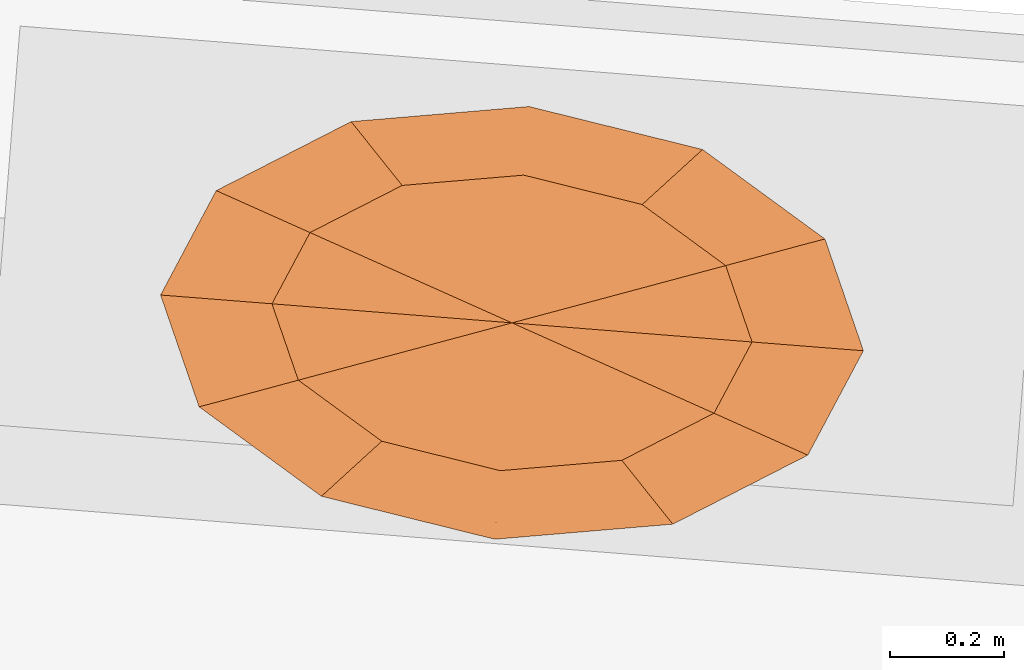
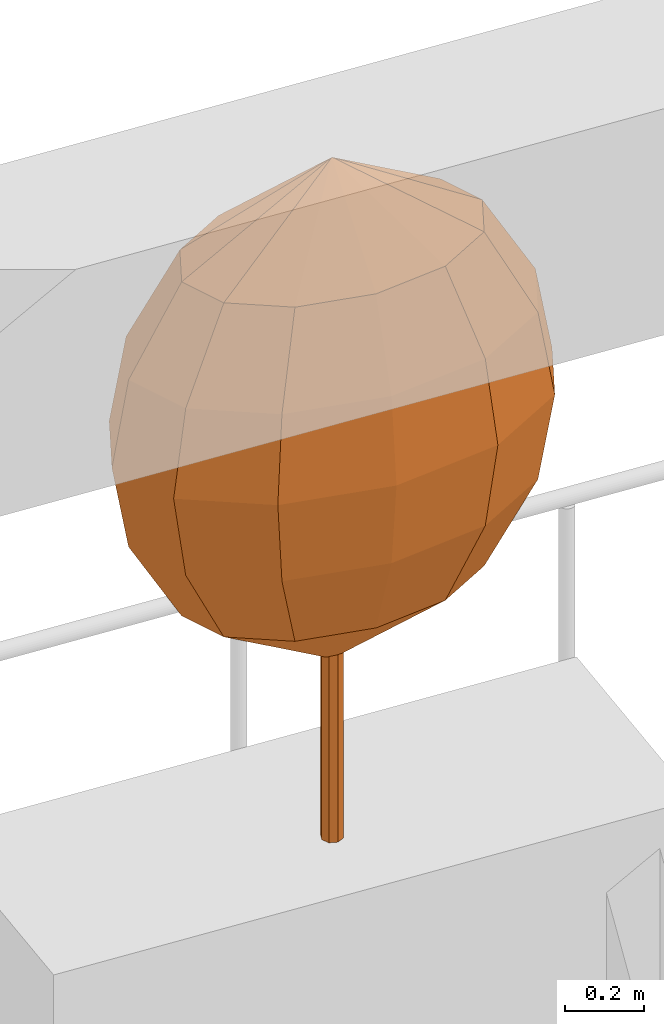
# One storey, part 12 of 12: 1 geographic element.
"""IFC4 building model written with IfcOpenShell, lengths in metres."""

from ifc_helpers import new_model, si_unit, direction, frame, origin, place, context, subcontext, project, spatial, faceted_brep, material, constituent, constituent_set, type_object, element, save


model = new_model("IFC4")

# Units and contexts
model_context = context("Model", 3, precision=1e-05, world=origin(), true_north=direction((0.0, 1.0)))
body_context = subcontext(model_context, "Body", "Model", "MODEL_VIEW")
ifc_project = project(units=[si_unit("LENGTHUNIT", "METRE"), si_unit("AREAUNIT", "SQUARE_METRE"), si_unit("VOLUMEUNIT", "CUBIC_METRE"), si_unit("PLANEANGLEUNIT", "RADIAN"), si_unit("MASSUNIT", "GRAM", prefix="KILO")], contexts=[model_context])

# Site, building, storey
site_placement = place(None, origin())
site = spatial("IfcSite", under=ifc_project, at=site_placement, CompositionType="ELEMENT")
building_placement = place(site_placement, origin())
building = spatial("IfcBuilding", under=site, at=building_placement, Name="Taillehof Tower", CompositionType="ELEMENT")
storey_placement = place(building_placement, frame((0.0, 0.0, 92.199951171875)))
storey = spatial("IfcBuildingStorey", under=building, at=storey_placement, Name="L25", CompositionType="ELEMENT", Elevation=92.199951171875)

# Geographic element
ifc_material_1 = material(Name="Tree bark", Category="timber")
ifc_constituent_1 = constituent(ifc_material_1, Name="Trunk", Category="timber")
ifc_material_2 = material(Name="Tree foliage")
ifc_constituent_2 = constituent(ifc_material_2, Name="Crown")
ifc_constituent_set = constituent_set(constituents=[ifc_constituent_1, ifc_constituent_2], Name="Tree TR1 Columnar hornbeam")
geographic_element_type = type_object("IfcGeographicElementType", Name="Tree TR1 Columnar hornbeam", PredefinedType="USERDEFINED", material=ifc_constituent_set)
geographic_element_placement = place(storey_placement, frame((3.072998046875, 23.007568359375, 0.75)))
element("IfcGeographicElement", 1, at=geographic_element_placement, inside=storey, type_object=geographic_element_type, Name="Tree TR1 Columnar hornbeam", ObjectType="TREE", PredefinedType="USERDEFINED", context=body_context, shape_type="Brep", body=[
    faceted_brep([(0.030029296875, 0.0, 0.0), (0.021240234375, 0.021240234375, 0.0), (0.021240234375, 0.021240234375, 1.092529296875), (0.030029296875, 0.0, 1.092529296875), (0.0, 0.030029296875, 0.0), (0.0, 0.030029296875, 1.092529296875), (-0.021240234375, 0.021240234375, 0.0), (-0.021240234375, 0.021240234375, 1.092529296875), (-0.030029296875, 0.0, 0.0), (-0.030029296875, 0.0, 1.092529296875), (-0.021240234375, -0.021240234375, 0.0), (-0.021240234375, -0.021240234375, 1.092529296875), (0.0, -0.030029296875, 0.0), (0.0, -0.030029296875, 1.092529296875), (0.021240234375, -0.021240234375, 0.0), (0.021240234375, -0.021240234375, 1.092529296875)], [[[0, 1, 2, 3]], [[1, 4, 5, 2]], [[4, 6, 7, 5]], [[6, 8, 9, 7]], [[8, 10, 11, 9]], [[10, 12, 13, 11]], [[12, 14, 15, 13]], [[14, 0, 3, 15]], [[14, 12, 10, 8, 6, 4, 1, 0]], [[3, 2, 5, 7, 9, 11, 13, 15]]]),
    faceted_brep([(0.0, 0.0, 0.550048828125), (-0.374267578125, -0.100341796875, 0.808349609375), (-0.42041015625, 0.033447265625, 0.808349609375), (-0.22802734375, -0.207275390625, 0.808349609375), (-0.0205078125, -0.2587890625, 0.808349609375), (0.1923828125, -0.24072265625, 0.808349609375), (0.353759765625, -0.158203125, 0.808349609375), (0.42041015625, -0.033447265625, 0.808349609375), (0.374267578125, 0.100341796875, 0.808349609375), (0.22802734375, 0.207275390625, 0.808349609375), (0.0205078125, 0.2587890625, 0.808349609375), (-0.1923828125, 0.24072265625, 0.808349609375), (-0.353759765625, 0.158203125, 0.808349609375), (-0.50634765625, -0.135986328125, 1.066650390625), (-0.56884765625, 0.045166015625, 1.066650390625), (-0.308349609375, -0.280517578125, 1.066650390625), (-0.02783203125, -0.35009765625, 1.066650390625), (0.26025390625, -0.32568359375, 1.066650390625), (0.478759765625, -0.214111328125, 1.066650390625), (0.56884765625, -0.045166015625, 1.066650390625), (0.50634765625, 0.135986328125, 1.066650390625), (0.308349609375, 0.280517578125, 1.066650390625), (0.02783203125, 0.35009765625, 1.066650390625), (-0.26025390625, 0.32568359375, 1.066650390625), (-0.478759765625, 0.214111328125, 1.066650390625), (-0.548095703125, -0.14697265625, 1.324951171875), (-0.615478515625, 0.048828125, 1.324951171875), (-0.333740234375, -0.3037109375, 1.324951171875), (-0.030029296875, -0.37890625, 1.324951171875), (0.28173828125, -0.3525390625, 1.324951171875), (0.51806640625, -0.231689453125, 1.324951171875), (0.615478515625, -0.048828125, 1.324951171875), (0.548095703125, 0.14697265625, 1.324951171875), (0.333740234375, 0.3037109375, 1.324951171875), (0.030029296875, 0.37890625, 1.324951171875), (-0.28173828125, 0.3525390625, 1.324951171875), (-0.51806640625, 0.231689453125, 1.324951171875), (-0.50634765625, -0.135986328125, 1.583251953125), (-0.56884765625, 0.045166015625, 1.583251953125), (-0.308349609375, -0.280517578125, 1.583251953125), (-0.02783203125, -0.35009765625, 1.583251953125), (0.26025390625, -0.32568359375, 1.583251953125), (0.478759765625, -0.214111328125, 1.583251953125), (0.56884765625, -0.045166015625, 1.583251953125), (0.50634765625, 0.135986328125, 1.583251953125), (0.308349609375, 0.280517578125, 1.583251953125), (0.02783203125, 0.35009765625, 1.583251953125), (-0.26025390625, 0.32568359375, 1.583251953125), (-0.478759765625, 0.214111328125, 1.583251953125), (-0.374267578125, -0.100341796875, 1.841552734375), (-0.42041015625, 0.033447265625, 1.841552734375), (-0.22802734375, -0.207275390625, 1.841552734375), (-0.0205078125, -0.2587890625, 1.841552734375), (0.1923828125, -0.24072265625, 1.841552734375), (0.353759765625, -0.158203125, 1.841552734375), (0.42041015625, -0.033447265625, 1.841552734375), (0.374267578125, 0.100341796875, 1.841552734375), (0.22802734375, 0.207275390625, 1.841552734375), (0.0205078125, 0.2587890625, 1.841552734375), (-0.1923828125, 0.24072265625, 1.841552734375), (-0.353759765625, 0.158203125, 1.841552734375), (0.0, 0.0, 2.10009765625)], [[[0, 1, 2]], [[0, 3, 1]], [[0, 4, 3]], [[0, 5, 4]], [[0, 6, 5]], [[0, 7, 6]], [[0, 8, 7]], [[0, 9, 8]], [[0, 10, 9]], [[0, 11, 10]], [[0, 12, 11]], [[0, 2, 12]], [[2, 1, 13, 14]], [[1, 3, 15, 13]], [[3, 4, 16, 15]], [[4, 5, 17, 16]], [[5, 6, 18, 17]], [[6, 7, 19, 18]], [[7, 8, 20, 19]], [[8, 9, 21, 20]], [[9, 10, 22, 21]], [[10, 11, 23, 22]], [[11, 12, 24, 23]], [[12, 2, 14, 24]], [[14, 13, 25, 26]], [[13, 15, 27, 25]], [[15, 16, 28, 27]], [[16, 17, 29, 28]], [[17, 18, 30, 29]], [[18, 19, 31, 30]], [[19, 20, 32, 31]], [[20, 21, 33, 32]], [[21, 22, 34, 33]], [[22, 23, 35, 34]], [[23, 24, 36, 35]], [[24, 14, 26, 36]], [[26, 25, 37, 38]], [[25, 27, 39, 37]], [[27, 28, 40, 39]], [[28, 29, 41, 40]], [[29, 30, 42, 41]], [[30, 31, 43, 42]], [[31, 32, 44, 43]], [[32, 33, 45, 44]], [[33, 34, 46, 45]], [[34, 35, 47, 46]], [[35, 36, 48, 47]], [[36, 26, 38, 48]], [[38, 37, 49, 50]], [[37, 39, 51, 49]], [[39, 40, 52, 51]], [[40, 41, 53, 52]], [[41, 42, 54, 53]], [[42, 43, 55, 54]], [[43, 44, 56, 55]], [[44, 45, 57, 56]], [[45, 46, 58, 57]], [[46, 47, 59, 58]], [[47, 48, 60, 59]], [[48, 38, 50, 60]], [[50, 49, 61]], [[49, 51, 61]], [[51, 52, 61]], [[52, 53, 61]], [[53, 54, 61]], [[54, 55, 61]], [[55, 56, 61]], [[56, 57, 61]], [[57, 58, 61]], [[58, 59, 61]], [[59, 60, 61]], [[60, 50, 61]]]),
])

save(model, "model.ifc")
